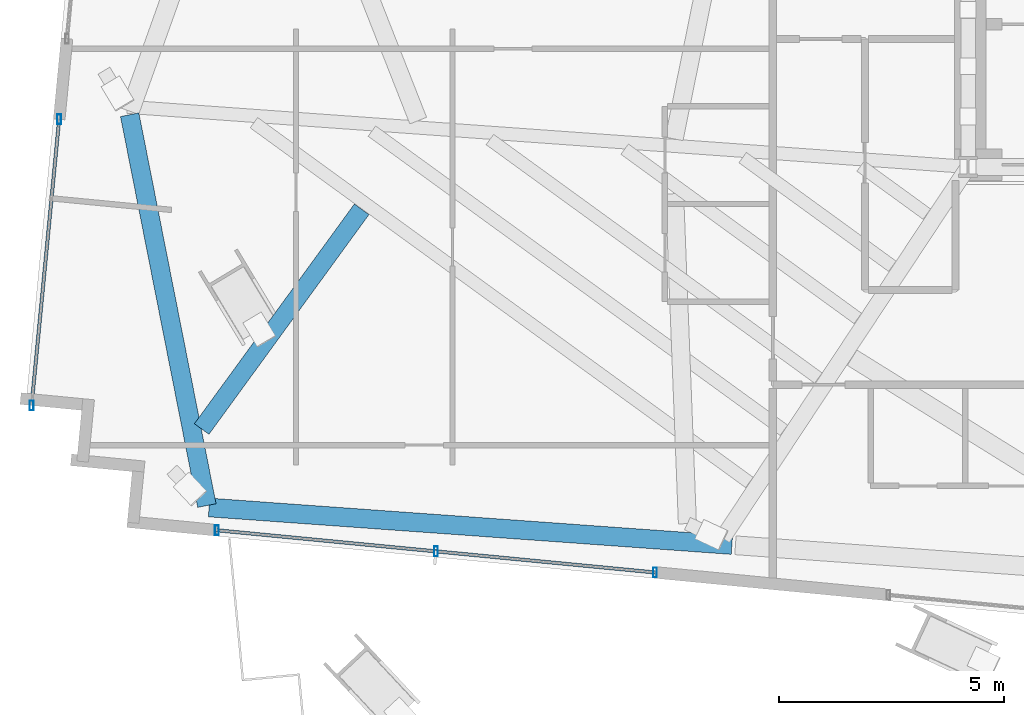
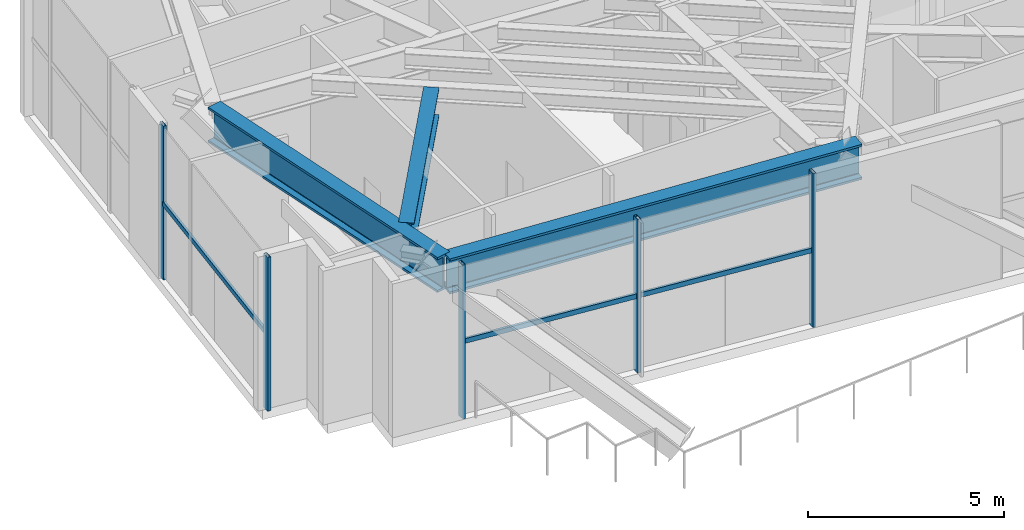
# One storey, part 2 of 23: 8 members, 3 beams, 2 elements without a shape of their own.
"""IFC4 building model written with IfcOpenShell, lengths in metres."""

from ifc_helpers import new_model, si_unit, direction, frame, origin, origin_2d, place, context, subcontext, project, spatial, hollow_rectangle, i_section, extrude, source, transform, mapped, material, material_profile, profile_set, type_object, type_shapes, element, aggregate, save


model = new_model("IFC4")

# Units and contexts
model_context = context("Model", 3, precision=1e-05, world=origin(), true_north=direction((0.0, 1.0)))
body_context = subcontext(model_context, "Body", "Model", "MODEL_VIEW")
ifc_project = project(units=[si_unit("LENGTHUNIT", "METRE"), si_unit("AREAUNIT", "SQUARE_METRE"), si_unit("VOLUMEUNIT", "CUBIC_METRE"), si_unit("PLANEANGLEUNIT", "RADIAN"), si_unit("MASSUNIT", "GRAM", prefix="KILO")], contexts=[model_context])

# Site, building, storey
site_placement = place(None, origin())
site = spatial("IfcSite", under=ifc_project, at=site_placement, CompositionType="ELEMENT")
building_placement = place(site_placement, origin())
building = spatial("IfcBuilding", under=site, at=building_placement, Name="Astriad Promenade Condominiums", CompositionType="ELEMENT")
storey_placement = place(building_placement, frame((0.0, 0.0, 119.39990234375)))
storey = spatial("IfcBuildingStorey", under=building, at=storey_placement, Name="L34", CompositionType="ELEMENT", Elevation=119.39990234375)

# Beams
ifc_material_1 = material(Name="Steel ASTM A992 Grade 50", Category="steel")
ifc_material_profile_1 = material_profile(ifc_material_1, i_section(OverallWidth=0.4169921875, OverallDepth=1.093505859375, WebThickness=0.0390625, FlangeThickness=0.070068359375, FilletRadius=0.025390625, at=origin_2d()), Name="W40X503")
ifc_profile_set_1 = profile_set([ifc_material_profile_1], Name="Steel ASTM A992 Grade 50")
beam_type_1 = type_object("IfcBeamType", Name="STEEL TRANSFER GIRDER W40X503", PredefinedType="BEAM", material=ifc_profile_set_1)
shared_shape_1 = source(origin(), body_context, "Body", "SweptSolid", [
    extrude(i_section(OverallWidth=0.4169921875, OverallDepth=1.093505859375, WebThickness=0.0390625, FlangeThickness=0.070068359375, FilletRadius=0.025390625, at=origin_2d()), origin(), (0.0, 0.0, 1.0), 11.667724609375),
])
beam_1_placement = place(storey_placement, frame((9.502197265625, 9.81884765625, 4.2333984375), z_axis=(0.997434638325, -0.07158311441, 0.0), x_axis=(0.07158311441, 0.997434638325, 0.0)))
element("IfcBeam", 1, at=beam_1_placement, inside=storey, type_object=beam_type_1, Name="Perimeter Spandrel Beam SP-S1-L34", PredefinedType="BEAM", context=body_context, shape_type="MappedRepresentation", body=[
    mapped(shared_shape_1, transform((0.0, 0.0, 0.0), scale=1.0)),
])
shared_shape_2 = source(origin(), body_context, "Body", "SweptSolid", [
    extrude(i_section(OverallWidth=0.4169921875, OverallDepth=1.093505859375, WebThickness=0.0390625, FlangeThickness=0.070068359375, FilletRadius=0.025390625, at=origin_2d()), origin(), (0.0, 0.0, 1.0), 8.868408203125),
])
type_shapes(beam_type_1, [shared_shape_1, shared_shape_2])
beam_2_placement = place(storey_placement, frame((7.736083984375, 18.5615234375, 4.2333984375), z_axis=(0.193749128529, -0.98105110733, 0.0), x_axis=(0.98105110733, 0.193749128529, 0.0)))
element("IfcBeam", 2, at=beam_2_placement, inside=storey, type_object=beam_type_1, Name="Perimeter Spandrel Beam SP-W1-L34", PredefinedType="BEAM", context=body_context, shape_type="MappedRepresentation", body=[
    mapped(shared_shape_2, transform((0.0, 0.0, 0.0), scale=1.0)),
])
ifc_material_profile_2 = material_profile(ifc_material_1, i_section(OverallWidth=0.4013671875, OverallDepth=0.877197265625, WebThickness=0.022216796875, FlangeThickness=0.039794921875, FilletRadius=0.02294921875, at=origin_2d()), Name="W33X263")
ifc_profile_set_2 = profile_set([ifc_material_profile_2], Name="Steel ASTM A992 Grade 50")
beam_type_2 = type_object("IfcBeamType", Name="STEEL TRANSFER CARRIER GIRDER W33X263", PredefinedType="BEAM", material=ifc_profile_set_2)
shared_shape_3 = source(origin(), body_context, "Body", "SweptSolid", [
    extrude(i_section(OverallWidth=0.4013671875, OverallDepth=0.877197265625, WebThickness=0.022216796875, FlangeThickness=0.039794921875, FilletRadius=0.02294921875, at=origin_2d()), origin(), (0.0, 0.0, 1.0), 6.050048828125),
])
type_shapes(beam_type_2, [shared_shape_3])
beam_3_placement = place(storey_placement, frame((12.899658203125, 16.4560546875, 4.341552734375), z_axis=(-0.588706624927, -0.808346775689, 0.0), x_axis=(0.808346775689, -0.588706624927, 0.0)))
element("IfcBeam", 3, at=beam_3_placement, inside=storey, type_object=beam_type_2, Name="Transfer Splice Carrier TRM-SP-PC01-L34", PredefinedType="BEAM", context=body_context, shape_type="MappedRepresentation", body=[
    mapped(shared_shape_3, transform((0.0, 0.0, 0.0), scale=1.0)),
])

# Curtain wall, members
ifc_material_2 = material(Name="Anodised aluminium Black Dark Glass Unitised", Category="aluminium")
curtain_wall_type = type_object("IfcCurtainWallType", Name="CW-B34-DARK", PredefinedType="USERDEFINED", material=ifc_material_2)
curtain_wall_1_placement = place(storey_placement, origin())
curtain_wall_1 = element("IfcCurtainWall", 4, at=curtain_wall_1_placement, inside=storey, type_object=curtain_wall_type, Name="CW-L34-S-5", ObjectType="UNITISED_CURTAIN_WALL", PredefinedType="USERDEFINED")
ifc_material_3 = material(Name="Anodised aluminium 6063-T6 Black", Category="aluminium")
ifc_material_profile_3 = material_profile(ifc_material_3, hollow_rectangle(XDim=0.074951171875, YDim=0.14990234375, WallThickness=0.004150390625, at=origin_2d()), Name="ALU-TRN-75X150")
ifc_profile_set_3 = profile_set([ifc_material_profile_3], Name="Anodised aluminium 6063-T6 Black")
member_type_1 = type_object("IfcMemberType", Name="TRN-ALU-TRN-75X150", PredefinedType="USERDEFINED", material=ifc_profile_set_3)
shared_shape_4 = source(origin(), body_context, "Body", "SweptSolid", [
    extrude(hollow_rectangle(XDim=0.074951171875, YDim=0.14990234375, WallThickness=0.004150390625, at=origin_2d()), origin(), (0.0, 0.0, 1.0), 4.89990234375),
])
member_1_placement = place(storey_placement, frame((19.4306640625, 8.37255859375, 2.35009765625), z_axis=(-0.995394594425, 0.095862408633, 0.0), x_axis=(-0.095862408633, -0.995394594425, 0.0)))
member_1 = element("IfcMember", 5, at=member_1_placement, type_object=member_type_1, Name="CW-L34-S-5-TRN-00-0", ObjectType="TRANSOM", PredefinedType="USERDEFINED", context=body_context, shape_type="MappedRepresentation", body=[
    mapped(shared_shape_4, transform((0.0, 0.0, 0.0), scale=1.0)),
])
member_2_placement = place(storey_placement, frame((14.55322265625, 8.84228515625, 2.35009765625), z_axis=(-0.995394594425, 0.095862408633, 0.0), x_axis=(-0.095862408633, -0.995394594425, 0.0)))
member_2 = element("IfcMember", 6, at=member_2_placement, type_object=member_type_1, Name="CW-L34-S-5-TRN-01-0", ObjectType="TRANSOM", PredefinedType="USERDEFINED", context=body_context, shape_type="MappedRepresentation", body=[
    mapped(shared_shape_4, transform((0.0, 0.0, 0.0), scale=1.0)),
])

curtain_wall_2_placement = place(storey_placement, origin())
curtain_wall_2 = element("IfcCurtainWall", 7, at=curtain_wall_2_placement, inside=storey, type_object=curtain_wall_type, Name="CW-L34-W-1", ObjectType="UNITISED_CURTAIN_WALL", PredefinedType="USERDEFINED")
ifc_material_profile_4 = material_profile(ifc_material_3, hollow_rectangle(XDim=0.0849609375, YDim=0.219970703125, WallThickness=0.0048828125, at=origin_2d()), Name="ALU-MUL-85X220")
ifc_profile_set_4 = profile_set([ifc_material_profile_4], Name="Anodised aluminium 6063-T6 Black")
member_type_2 = type_object("IfcMemberType", Name="MUL-ALU-MUL-85X220", PredefinedType="MULLION", material=ifc_profile_set_4)
shared_shape_5 = source(origin(), body_context, "Body", "SweptSolid", [
    extrude(hollow_rectangle(XDim=0.0849609375, YDim=0.219970703125, WallThickness=0.0048828125, at=origin_2d()), origin(), (0.0, 0.0, 1.0), 4.780029296875),
])
type_shapes(member_type_2, [shared_shape_5])
member_3_placement = place(storey_placement, frame((5.552978515625, 12.08984375, 0.0), z_axis=(0.0, 0.0, 1.0), x_axis=(1.0, 0.0, 0.0)))
member_3 = element("IfcMember", 8, at=member_3_placement, type_object=member_type_2, Name="CW-L34-W-1-MUL-00", PredefinedType="MULLION", context=body_context, shape_type="MappedRepresentation", body=[
    mapped(shared_shape_5, transform((0.0, 0.0, 0.0), scale=1.0)),
])
member_4_placement = place(storey_placement, frame((6.16650390625, 18.460205078125, 0.0), z_axis=(0.0, 0.0, 1.0), x_axis=(1.0, 0.0, 0.0)))
member_4 = element("IfcMember", 9, at=member_4_placement, type_object=member_type_2, Name="CW-L34-W-1-MUL-01", PredefinedType="MULLION", context=body_context, shape_type="MappedRepresentation", body=[
    mapped(shared_shape_5, transform((0.0, 0.0, 0.0), scale=1.0)),
])

# Member
member_5_placement = place(storey_placement, frame((19.4306640625, 8.37255859375, 0.0), z_axis=(0.0, 0.0, 1.0), x_axis=(1.0, 0.0, 0.0)))
member_5 = element("IfcMember", 10, at=member_5_placement, type_object=member_type_2, Name="CW-L34-S-5-MUL-00", PredefinedType="MULLION", context=body_context, shape_type="MappedRepresentation", body=[
    mapped(shared_shape_5, transform((0.0, 0.0, 0.0), scale=1.0)),
])

member_6_placement = place(storey_placement, frame((14.55322265625, 8.84228515625, 0.0), z_axis=(0.0, 0.0, 1.0), x_axis=(1.0, 0.0, 0.0)))
member_6 = element("IfcMember", 11, at=member_6_placement, type_object=member_type_2, Name="CW-L34-S-5-MUL-01", PredefinedType="MULLION", context=body_context, shape_type="MappedRepresentation", body=[
    mapped(shared_shape_5, transform((0.0, 0.0, 0.0), scale=1.0)),
])

member_7_placement = place(storey_placement, frame((9.67578125, 9.31201171875, 0.0), z_axis=(0.0, 0.0, 1.0), x_axis=(1.0, 0.0, 0.0)))
member_7 = element("IfcMember", 12, at=member_7_placement, type_object=member_type_2, Name="CW-L34-S-5-MUL-02", PredefinedType="MULLION", context=body_context, shape_type="MappedRepresentation", body=[
    mapped(shared_shape_5, transform((0.0, 0.0, 0.0), scale=1.0)),
])

aggregate(curtain_wall_1, [member_5, member_6, member_7, member_1, member_2])

shared_shape_6 = source(origin(), body_context, "Body", "SweptSolid", [
    extrude(hollow_rectangle(XDim=0.074951171875, YDim=0.14990234375, WallThickness=0.004150390625, at=origin_2d()), origin(), (0.0, 0.0, 1.0), 6.39990234375),
])
type_shapes(member_type_1, [shared_shape_4, shared_shape_6])
member_8_placement = place(storey_placement, frame((5.552978515625, 12.08984375, 2.35009765625), z_axis=(0.095865780088, 0.995394269728, 0.0), x_axis=(-0.995394269728, 0.095865780088, 0.0)))
member_8 = element("IfcMember", 13, at=member_8_placement, type_object=member_type_1, Name="CW-L34-W-1-TRN-00-0", ObjectType="TRANSOM", PredefinedType="USERDEFINED", context=body_context, shape_type="MappedRepresentation", body=[
    mapped(shared_shape_6, transform((0.0, 0.0, 0.0), scale=1.0)),
])

aggregate(curtain_wall_2, [member_3, member_4, member_8])

save(model, "model.ifc")
